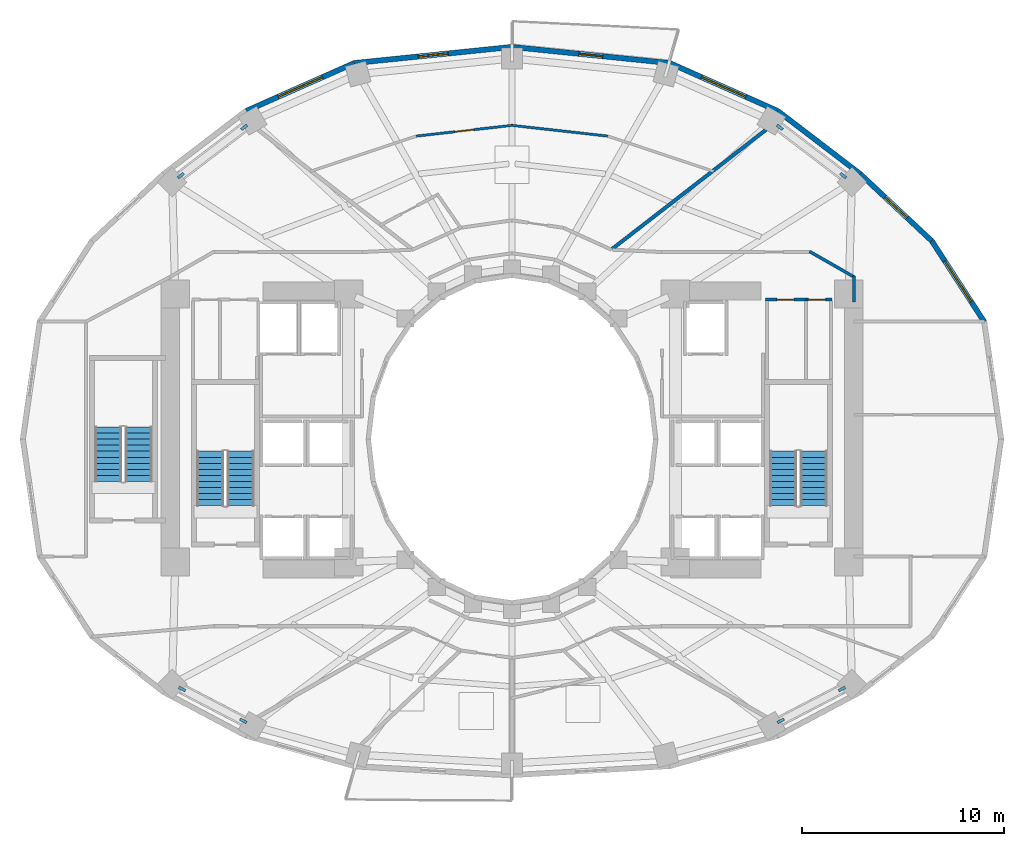
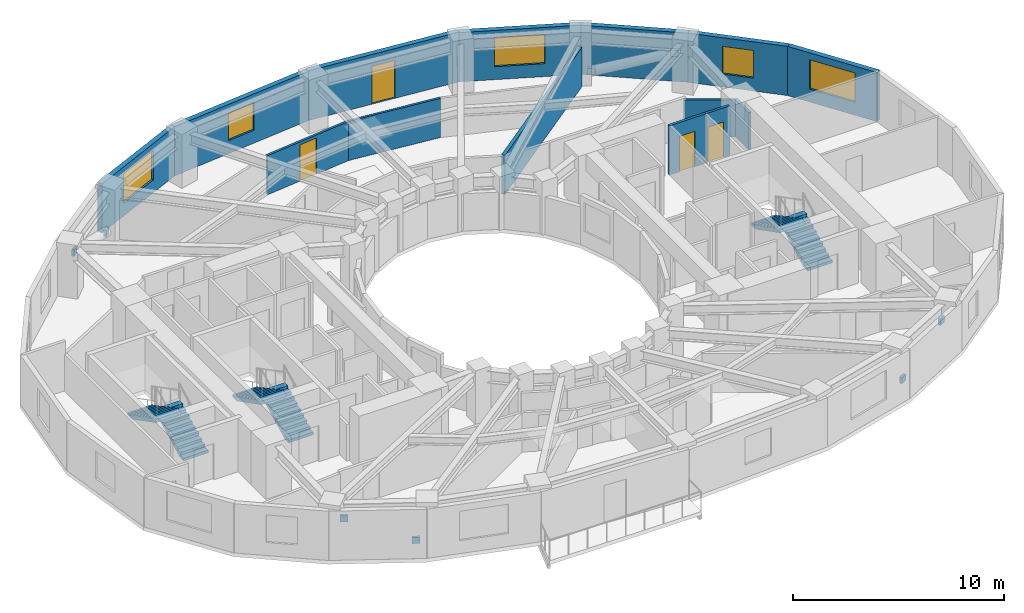
# One storey, part 7 of 9: 14 walls, 8 discrete accessories, 6 stair flights, 5 windows, 4 doors, 9 openings, 3 elements without a shape of their own.
"""IFC4 building model written with IfcOpenShell, lengths in metres."""

from ifc_helpers import new_model, si_unit, direction, frame, frame_2d, origin, origin_2d, place, context, subcontext, project, spatial, polyline, rectangle, outline, extrude, material, layer, layer_set, type_object, element, fill, aggregate, save


model = new_model("IFC4")

# Units and contexts
model_context = context("Model", 3, precision=1e-05, world=origin(), true_north=direction((0.0, 1.0)))
body_context = subcontext(model_context, "Body", "Model", "MODEL_VIEW")
ifc_project = project(units=[si_unit("LENGTHUNIT", "METRE"), si_unit("AREAUNIT", "SQUARE_METRE"), si_unit("VOLUMEUNIT", "CUBIC_METRE"), si_unit("PLANEANGLEUNIT", "RADIAN"), si_unit("MASSUNIT", "GRAM", prefix="KILO")], contexts=[model_context])

# Site, building, storey
site_placement = place(None, origin())
site = spatial("IfcSite", under=ifc_project, at=site_placement, CompositionType="ELEMENT")
building_placement = place(site_placement, origin())
building = spatial("IfcBuilding", under=site, at=building_placement, Name="Solvane Sanctuary Tower", CompositionType="ELEMENT")
storey_placement = place(building_placement, frame((0.0, 0.0, 79.39990234375)))
storey = spatial("IfcBuildingStorey", under=building, at=storey_placement, Name="L23", CompositionType="ELEMENT", Elevation=79.39990234375)

# Walls
ifc_material_1 = material(Name="Acoustic Gypsum Partition Board")
ifc_layer_1 = layer(ifc_material_1, 0.14990234375, Name="Acoustic Gypsum Partition Board")
ifc_layer_set_1 = layer_set([ifc_layer_1], Name="Acoustic Gypsum Partition Board")
wall_type_1 = type_object("IfcWallType", Name="Wall W-CORR-150", PredefinedType="PARTITIONING", material=ifc_layer_set_1)
wall_1_placement = place(storey_placement, frame((48.949951171875, 29.800048828125, 0.0), z_axis=(0.0, 0.0, 1.0), x_axis=(0.0, 1.0, 0.0)))
element("IfcWall", 1, at=wall_1_placement, inside=storey, type_object=wall_type_1, Name="L23 NE Corner Closer 1", PredefinedType="PARTITIONING", context=body_context, shape_type="SweptSolid", body=[
    extrude(rectangle(XDim=1.2900390625, YDim=0.14990234375, at=frame_2d((0.64501953125, 0.0))), origin(), (0.0, 0.0, 1.0), 2.14208984375),
])
wall_2_placement = place(storey_placement, frame((46.756591796875, 32.3046875, 0.0), z_axis=(0.0, 0.0, 1.0), x_axis=(0.867991349648, -0.496579315857, 0.0)))
element("IfcWall", 2, at=wall_2_placement, inside=storey, type_object=wall_type_1, Name="L23 NE Corner Wing Wall", PredefinedType="PARTITIONING", context=body_context, shape_type="SweptSolid", body=[
    extrude(rectangle(XDim=2.56689453125, YDim=0.14990234375, at=frame_2d((1.283447265625, 0.0))), origin(), (0.0, 0.0, 1.0), 2.14208984375),
])

# Wall, opening, window
ifc_material_2 = material(Name="Precast concrete C40/50", Category="concrete")
ifc_layer_2 = layer(ifc_material_2, 0.260009765625, Name="Precast concrete C40/50")
ifc_layer_set_2 = layer_set([ifc_layer_2], Name="Precast concrete C40/50")
wall_type_2 = type_object("IfcWallType", Name="Wall W-EXT-250", PredefinedType="STANDARD", material=ifc_layer_set_2)
wall_3_placement = place(storey_placement, frame((55.421875, 28.818603515625, 0.0), z_axis=(0.0, 0.0, 1.0), x_axis=(-0.544388392991, 0.838833283541, 0.0)))
wall_3 = element("IfcWall", 3, at=wall_3_placement, inside=storey, type_object=wall_type_2, Name="L23 Ceramic-Printed Facade Wall 01", PredefinedType="STANDARD", context=body_context, shape_type="SweptSolid", body=[
    extrude(rectangle(XDim=4.7783203125, YDim=0.260009765625, at=frame_2d((2.38916015625, 0.0))), origin(), (0.0, 0.0, 1.0), 2.85009765625),
])
opening_1_placement = place(wall_3_placement, frame((1.189208984375, 0.0, 0.75)))
opening_1 = element("IfcOpeningElement", 4, at=opening_1_placement, cuts=wall_3, Name="Opening WN-RIB-2400", PredefinedType="OPENING", context=body_context, shape_type="SweptSolid", body=[
    extrude(rectangle(XDim=2.39990234375, YDim=1.699951171875, at=frame_2d((1.199951171875, 0.85009765625))), frame((0.0, 0.139892578125, 0.0), z_axis=(0.0, -1.0, 0.0), x_axis=(1.0, 0.0, 0.0)), (0.0, 0.0, 1.0), 0.280029296875),
])
ifc_material_3 = material(Name="Dark Ceramic-Fritted Low-E Glass", Category="glass")
window_type_1 = type_object("IfcWindowType", Name="Window WN-RIB-2400", PartitioningType="SINGLE_PANEL", PredefinedType="WINDOW", material=ifc_material_3)
window_1_placement = place(opening_1_placement, origin())
window_1 = element("IfcWindow", 5, at=window_1_placement, inside=storey, type_object=window_type_1, Name="L23 Operable Facade Window 01", OverallHeight=1.699951171875, OverallWidth=2.39990234375, PartitioningType="SINGLE_PANEL", PredefinedType="WINDOW", context=body_context, shape_type="SweptSolid", body=[
    extrude(rectangle(XDim=2.39990234375, YDim=1.699951171875, at=frame_2d((1.199951171875, 0.85009765625))), frame((0.0, 0.030029296875, 0.0), z_axis=(0.0, -1.0, 0.0), x_axis=(1.0, 0.0, 0.0)), (0.0, 0.0, 1.0), 0.06005859375),
])
fill(opening_1, window_1)

wall_4_placement = place(storey_placement, frame((52.820556640625, 32.826904296875, 0.0), z_axis=(0.0, 0.0, 1.0), x_axis=(-0.730162452258, 0.68327358599, 0.0)))
wall_4 = element("IfcWall", 6, at=wall_4_placement, inside=storey, type_object=wall_type_2, Name="L23 Ceramic-Printed Facade Wall 02", PredefinedType="STANDARD", context=body_context, shape_type="SweptSolid", body=[
    extrude(rectangle(XDim=4.868408203125, YDim=0.260009765625, at=frame_2d((2.43408203125, 0.0))), origin(), (0.0, 0.0, 1.0), 2.85009765625),
])
opening_2_placement = place(wall_4_placement, frame((1.68408203125, 0.0, 0.75)))
opening_2 = element("IfcOpeningElement", 7, at=opening_2_placement, cuts=wall_4, Name="Opening WN-OPER-1500", PredefinedType="OPENING", context=body_context, shape_type="SweptSolid", body=[
    extrude(rectangle(XDim=1.5, YDim=1.60009765625, at=frame_2d((0.75, 0.800048828125))), frame((0.0, 0.139892578125, 0.0), z_axis=(0.0, -1.0, 0.0), x_axis=(1.0, 0.0, 0.0)), (0.0, 0.0, 1.0), 0.280029296875),
])
window_type_2 = type_object("IfcWindowType", Name="Window WN-OPER-1500", PartitioningType="SINGLE_PANEL", PredefinedType="WINDOW", material=ifc_material_3)
window_2_placement = place(opening_2_placement, origin())
window_2 = element("IfcWindow", 8, at=window_2_placement, inside=storey, type_object=window_type_2, Name="L23 Operable Facade Window 02", OverallHeight=1.60009765625, OverallWidth=1.5, PartitioningType="SINGLE_PANEL", PredefinedType="WINDOW", context=body_context, shape_type="SweptSolid", body=[
    extrude(rectangle(XDim=1.5, YDim=1.60009765625, at=frame_2d((0.75, 0.800048828125))), frame((0.0, 0.030029296875, 0.0), z_axis=(0.0, -1.0, 0.0), x_axis=(1.0, 0.0, 0.0)), (0.0, 0.0, 1.0), 0.06005859375),
])
fill(opening_2, window_2)

# Wall
wall_5_placement = place(storey_placement, frame((49.265869140625, 36.1533203125, 0.0), z_axis=(0.0, 0.0, 1.0), x_axis=(-0.794809810864, 0.606858603427, 0.0)))
element("IfcWall", 9, at=wall_5_placement, inside=storey, type_object=wall_type_2, Name="L23 Ceramic-Printed Facade Wall 03", PredefinedType="STANDARD", context=body_context, shape_type="SweptSolid", body=[
    extrude(rectangle(XDim=5.149169921875, YDim=0.260009765625, at=frame_2d((2.57470703125, 0.0))), origin(), (0.0, 0.0, 1.0), 2.85009765625),
])

# Wall, opening, window
wall_6_placement = place(storey_placement, frame((45.17333984375, 39.278076171875, 0.0), z_axis=(0.0, 0.0, 1.0), x_axis=(-0.914336605747, 0.404955023911, 0.0)))
wall_6 = element("IfcWall", 10, at=wall_6_placement, inside=storey, type_object=wall_type_2, Name="L23 Ceramic-Printed Facade Wall 04", PredefinedType="STANDARD", context=body_context, shape_type="SweptSolid", body=[
    extrude(rectangle(XDim=5.85888671875, YDim=0.260009765625, at=frame_2d((2.929443359375, 0.0))), origin(), (0.0, 0.0, 1.0), 2.85009765625),
])
opening_3_placement = place(wall_6_placement, frame((1.7294921875, 0.0, 0.75)))
opening_3 = element("IfcOpeningElement", 11, at=opening_3_placement, cuts=wall_6, Name="Opening WN-RIB-2400", PredefinedType="OPENING", context=body_context, shape_type="SweptSolid", body=[
    extrude(rectangle(XDim=2.39990234375, YDim=1.699951171875, at=frame_2d((1.199951171875, 0.85009765625))), frame((0.0, 0.139892578125, 0.0), z_axis=(0.0, -1.0, 0.0), x_axis=(1.0, 0.0, 0.0)), (0.0, 0.0, 1.0), 0.280029296875),
])
window_3_placement = place(opening_3_placement, origin())
window_3 = element("IfcWindow", 12, at=window_3_placement, inside=storey, type_object=window_type_1, Name="L23 Operable Facade Window 04", OverallHeight=1.699951171875, OverallWidth=2.39990234375, PartitioningType="SINGLE_PANEL", PredefinedType="WINDOW", context=body_context, shape_type="SweptSolid", body=[
    extrude(rectangle(XDim=2.39990234375, YDim=1.699951171875, at=frame_2d((1.199951171875, 0.85009765625))), frame((0.0, 0.030029296875, 0.0), z_axis=(0.0, -1.0, 0.0), x_axis=(1.0, 0.0, 0.0)), (0.0, 0.0, 1.0), 0.06005859375),
])
fill(opening_3, window_3)

# Wall, opening, door
wall_7_placement = place(storey_placement, frame((39.81640625, 41.650634765625, 0.0), z_axis=(0.0, 0.0, 1.0), x_axis=(-0.994821390558, 0.101638579726, 0.0)))
wall_7 = element("IfcWall", 13, at=wall_7_placement, inside=storey, type_object=wall_type_2, Name="L23 Balcony Facade Wall NC", PredefinedType="STANDARD", context=body_context, shape_type="SweptSolid", body=[
    extrude(rectangle(XDim=7.857177734375, YDim=0.260009765625, at=frame_2d((3.9287109375, 0.0))), origin(), (0.0, 0.0, 1.0), 2.880126953125),
])
opening_4_placement = place(wall_7_placement, frame((3.32861328125, 0.0, 0.0)))
opening_4 = element("IfcOpeningElement", 14, at=opening_4_placement, cuts=wall_7, Name="Opening D-L23-01", PredefinedType="OPENING", context=body_context, shape_type="SweptSolid", body=[
    extrude(rectangle(XDim=1.199951171875, YDim=2.199951171875, at=frame_2d((0.60009765625, 1.10009765625))), frame((0.0, 0.139892578125, 0.0), z_axis=(0.0, -1.0, 0.0), x_axis=(1.0, 0.0, 0.0)), (0.0, 0.0, 1.0), 0.280029296875),
])
ifc_material_4 = material(Name="Anodised Aluminium 6063-T6", Category="aluminium")
door_type_1 = type_object("IfcDoorType", Name="Door D-BALC-1200", OperationType="NOTDEFINED", PredefinedType="DOOR", material=ifc_material_4)
door_1_placement = place(opening_4_placement, origin())
door_1 = element("IfcDoor", 15, at=door_1_placement, inside=storey, type_object=door_type_1, Name="L23 Glazed Balcony Door NC", OperationType="SINGLE_SWING_RIGHT", OverallHeight=2.199951171875, OverallWidth=1.199951171875, PredefinedType="DOOR", context=body_context, shape_type="SweptSolid", body=[
    extrude(rectangle(XDim=1.199951171875, YDim=2.199951171875, at=frame_2d((0.60009765625, 1.10009765625))), frame((0.0, 0.02490234375, 0.0), z_axis=(0.0, -1.0, 0.0), x_axis=(1.0, 0.0, 0.0)), (0.0, 0.0, 1.0), 0.050048828125),
])
fill(opening_4, door_1)

# Wall, opening, window
wall_8_placement = place(storey_placement, frame((32.0, 42.44921875, 0.0), z_axis=(0.0, 0.0, 1.0), x_axis=(-0.994821390558, -0.101638579726, 0.0)))
wall_8 = element("IfcWall", 16, at=wall_8_placement, inside=storey, type_object=wall_type_2, Name="L23 Ceramic-Printed Facade Wall 06", PredefinedType="STANDARD", context=body_context, shape_type="SweptSolid", body=[
    extrude(rectangle(XDim=7.857177734375, YDim=0.260009765625, at=frame_2d((3.9287109375, 0.0))), origin(), (0.0, 0.0, 1.0), 2.85009765625),
])
opening_5_placement = place(wall_8_placement, frame((3.178466796875, 0.0, 0.75)))
opening_5 = element("IfcOpeningElement", 17, at=opening_5_placement, cuts=wall_8, Name="Opening WN-OPER-1500", PredefinedType="OPENING", context=body_context, shape_type="SweptSolid", body=[
    extrude(rectangle(XDim=1.5, YDim=1.60009765625, at=frame_2d((0.75, 0.800048828125))), frame((0.0, 0.139892578125, 0.0), z_axis=(0.0, -1.0, 0.0), x_axis=(1.0, 0.0, 0.0)), (0.0, 0.0, 1.0), 0.280029296875),
])
window_4_placement = place(opening_5_placement, origin())
window_4 = element("IfcWindow", 18, at=window_4_placement, inside=storey, type_object=window_type_2, Name="L23 Operable Facade Window 06", OverallHeight=1.60009765625, OverallWidth=1.5, PartitioningType="SINGLE_PANEL", PredefinedType="WINDOW", context=body_context, shape_type="SweptSolid", body=[
    extrude(rectangle(XDim=1.5, YDim=1.60009765625, at=frame_2d((0.75, 0.800048828125))), frame((0.0, 0.030029296875, 0.0), z_axis=(0.0, -1.0, 0.0), x_axis=(1.0, 0.0, 0.0)), (0.0, 0.0, 1.0), 0.06005859375),
])
fill(opening_5, window_4)

wall_9_placement = place(storey_placement, frame((24.18359375, 41.650634765625, 0.0), z_axis=(0.0, 0.0, 1.0), x_axis=(-0.914336605747, -0.404955023911, 0.0)))
wall_9 = element("IfcWall", 19, at=wall_9_placement, inside=storey, type_object=wall_type_2, Name="L23 Ceramic-Printed Facade Wall 07", PredefinedType="STANDARD", context=body_context, shape_type="SweptSolid", body=[
    extrude(rectangle(XDim=5.85888671875, YDim=0.260009765625, at=frame_2d((2.929443359375, 0.0))), origin(), (0.0, 0.0, 1.0), 2.85009765625),
])
opening_6_placement = place(wall_9_placement, frame((1.7294921875, 0.0, 0.75)))
opening_6 = element("IfcOpeningElement", 20, at=opening_6_placement, cuts=wall_9, Name="Opening WN-RIB-2400", PredefinedType="OPENING", context=body_context, shape_type="SweptSolid", body=[
    extrude(rectangle(XDim=2.39990234375, YDim=1.699951171875, at=frame_2d((1.199951171875, 0.85009765625))), frame((0.0, 0.139892578125, 0.0), z_axis=(0.0, -1.0, 0.0), x_axis=(1.0, 0.0, 0.0)), (0.0, 0.0, 1.0), 0.280029296875),
])
window_5_placement = place(opening_6_placement, origin())
window_5 = element("IfcWindow", 21, at=window_5_placement, inside=storey, type_object=window_type_1, Name="L23 Operable Facade Window 07", OverallHeight=1.699951171875, OverallWidth=2.39990234375, PartitioningType="SINGLE_PANEL", PredefinedType="WINDOW", context=body_context, shape_type="SweptSolid", body=[
    extrude(rectangle(XDim=2.39990234375, YDim=1.699951171875, at=frame_2d((1.199951171875, 0.85009765625))), frame((0.0, 0.030029296875, 0.0), z_axis=(0.0, -1.0, 0.0), x_axis=(1.0, 0.0, 0.0)), (0.0, 0.0, 1.0), 0.06005859375),
])
fill(opening_6, window_5)

# Wall
ifc_layer_3 = layer(ifc_material_1, 0.1201171875, Name="Acoustic Gypsum Partition Board")
ifc_layer_set_3 = layer_set([ifc_layer_3], Name="Acoustic Gypsum Partition Board")
wall_type_3 = type_object("IfcWallType", Name="Wall W-MOV-100", PredefinedType="MOVABLE", material=ifc_layer_set_3)
wall_10_placement = place(storey_placement, frame((36.7470703125, 38.02783203125, 0.0), z_axis=(0.0, 0.0, 1.0), x_axis=(-0.9937938415, 0.111237586262, 0.0)))
element("IfcWall", 22, at=wall_10_placement, inside=storey, type_object=wall_type_3, Name="L23 Suite Sitting Lounge Partition N1", PredefinedType="MOVABLE", context=body_context, shape_type="SweptSolid", body=[
    extrude(rectangle(XDim=4.786865234375, YDim=0.1201171875, at=frame_2d((2.3935546875, 0.0))), origin(), (0.0, 0.0, 1.0), 2.272216796875),
])

# Wall, opening, door
wall_11_placement = place(storey_placement, frame((32.010009765625, 38.560302734375, 0.0), z_axis=(0.0, 0.0, 1.0), x_axis=(-0.9937938415, -0.111237586262, 0.0)))
wall_11 = element("IfcWall", 23, at=wall_11_placement, inside=storey, type_object=wall_type_3, Name="L23 Suite Sitting Lounge Partition N1", PredefinedType="MOVABLE", context=body_context, shape_type="SweptSolid", body=[
    extrude(rectangle(XDim=4.786865234375, YDim=0.1201171875, at=frame_2d((2.3935546875, 0.0))), origin(), (0.0, 0.0, 1.0), 2.272216796875),
])
opening_7_placement = place(wall_11_placement, frame((1.91845703125, 0.0, 0.0)))
opening_7 = element("IfcOpeningElement", 24, at=opening_7_placement, cuts=wall_11, Name="Opening D-L23-20", PredefinedType="OPENING", context=body_context, shape_type="SweptSolid", body=[
    extrude(rectangle(XDim=0.949951171875, YDim=2.10009765625, at=frame_2d((0.47509765625, 1.050048828125))), frame((0.0, 0.070068359375, 0.0), z_axis=(0.0, -1.0, 0.0), x_axis=(1.0, 0.0, 0.0)), (0.0, 0.0, 1.0), 0.14013671875),
])
ifc_material_5 = material(Name="Engineered Tropical Hardwood", Category="wood")
door_type_2 = type_object("IfcDoorType", Name="Door D-ROOM-950", OperationType="NOTDEFINED", PredefinedType="DOOR", material=ifc_material_5)
door_2_placement = place(opening_7_placement, origin())
door_2 = element("IfcDoor", 25, at=door_2_placement, inside=storey, type_object=door_type_2, Name="L23 Suite Sitting Lounge Door N1", OperationType="SINGLE_SWING_RIGHT", OverallHeight=2.10009765625, OverallWidth=0.949951171875, PredefinedType="DOOR", context=body_context, shape_type="SweptSolid", body=[
    extrude(rectangle(XDim=0.949951171875, YDim=2.10009765625, at=frame_2d((0.47509765625, 1.050048828125))), frame((0.0, 0.02490234375, 0.0), z_axis=(0.0, -1.0, 0.0), x_axis=(1.0, 0.0, 0.0)), (0.0, 0.0, 1.0), 0.050048828125),
])
fill(opening_7, door_2)

# Wall
ifc_layer_4 = layer(ifc_material_1, 0.179931640625, Name="Acoustic Gypsum Partition Board")
ifc_layer_set_4 = layer_set([ifc_layer_4], Name="Acoustic Gypsum Partition Board")
wall_type_4 = type_object("IfcWallType", Name="Wall W-UNIT-180", PredefinedType="PARTITIONING", material=ifc_layer_set_4)
wall_12_placement = place(storey_placement, frame((36.968505859375, 32.43017578125, 0.0), z_axis=(0.0, 0.0, 1.0), x_axis=(0.790421780952, 0.612562983045, 0.0)))
element("IfcWall", 26, at=wall_12_placement, inside=storey, type_object=wall_type_4, Name="L23 Radial Compartment Wall 060", PredefinedType="PARTITIONING", context=body_context, shape_type="SweptSolid", body=[
    extrude(rectangle(XDim=9.662109375, YDim=0.179931640625, at=frame_2d((4.8310546875, 0.0))), origin(), (0.0, 0.0, 1.0), 2.272216796875),
])

# Wall, opening, door
ifc_layer_5 = layer(ifc_material_1, 0.139892578125, Name="Acoustic Gypsum Partition Board")
ifc_layer_set_5 = layer_set([ifc_layer_5], Name="Acoustic Gypsum Partition Board")
wall_type_5 = type_object("IfcWallType", Name="Wall W-WET-140", PredefinedType="PLUMBINGWALL", material=ifc_layer_set_5)
wall_13_placement = place(storey_placement, frame((44.580078125, 29.919921875, 0.0), z_axis=(0.0, 0.0, 1.0), x_axis=(1.0, 0.0, 0.0)))
wall_13 = element("IfcWall", 27, at=wall_13_placement, inside=storey, type_object=wall_type_5, Name="L23 Core Service Front Wall KE1", PredefinedType="PLUMBINGWALL", context=body_context, shape_type="SweptSolid", body=[
    extrude(rectangle(XDim=2.0, YDim=0.139892578125, at=frame_2d((1.0, 0.0))), origin(), (0.0, 0.0, 1.0), 2.85498046875),
])
opening_8_placement = place(wall_13_placement, frame((0.550048828125, 0.0, 0.0)))
opening_8 = element("IfcOpeningElement", 28, at=opening_8_placement, cuts=wall_13, Name="Opening D-L23-10", PredefinedType="OPENING", context=body_context, shape_type="SweptSolid", body=[
    extrude(rectangle(XDim=0.85009765625, YDim=2.050048828125, at=frame_2d((0.425048828125, 1.02490234375))), frame((0.0, 0.079833984375, 0.0), z_axis=(0.0, -1.0, 0.0), x_axis=(1.0, 0.0, 0.0)), (0.0, 0.0, 1.0), 0.159912109375),
])
ifc_material_6 = material(Name="Architectural Stainless Steel 316", Category="steel")
door_type_3 = type_object("IfcDoorType", Name="Door D-RISER", OperationType="NOTDEFINED", PredefinedType="DOOR", material=ifc_material_6)
door_3_placement = place(opening_8_placement, origin())
door_3 = element("IfcDoor", 29, at=door_3_placement, inside=storey, type_object=door_type_3, Name="L23 Core Service Room Door KE1-1", OperationType="SINGLE_SWING_RIGHT", OverallHeight=2.050048828125, OverallWidth=0.85009765625, PredefinedType="DOOR", context=body_context, shape_type="SweptSolid", body=[
    extrude(rectangle(XDim=0.85009765625, YDim=2.050048828125, at=frame_2d((0.425048828125, 1.02490234375))), frame((0.0, 0.02490234375, 0.0), z_axis=(0.0, -1.0, 0.0), x_axis=(1.0, 0.0, 0.0)), (0.0, 0.0, 1.0), 0.050048828125),
])
fill(opening_8, door_3)

wall_14_placement = place(storey_placement, frame((46.580078125, 29.919921875, 0.0), z_axis=(0.0, 0.0, 1.0), x_axis=(1.0, 0.0, 0.0)))
wall_14 = element("IfcWall", 30, at=wall_14_placement, inside=storey, type_object=wall_type_5, Name="L23 Core Service Front Wall KE2", PredefinedType="PLUMBINGWALL", context=body_context, shape_type="SweptSolid", body=[
    extrude(rectangle(XDim=1.2998046875, YDim=0.139892578125, at=frame_2d((0.64990234375, 0.0))), origin(), (0.0, 0.0, 1.0), 2.85498046875),
])
opening_9_placement = place(wall_14_placement, frame((0.1201171875, 0.0, 0.0)))
opening_9 = element("IfcOpeningElement", 31, at=opening_9_placement, cuts=wall_14, Name="Opening D-L23-11", PredefinedType="OPENING", context=body_context, shape_type="SweptSolid", body=[
    extrude(rectangle(XDim=0.85009765625, YDim=2.050048828125, at=frame_2d((0.425048828125, 1.02490234375))), frame((0.0, 0.079833984375, 0.0), z_axis=(0.0, -1.0, 0.0), x_axis=(1.0, 0.0, 0.0)), (0.0, 0.0, 1.0), 0.159912109375),
])
door_4_placement = place(opening_9_placement, origin())
door_4 = element("IfcDoor", 32, at=door_4_placement, inside=storey, type_object=door_type_3, Name="L23 Core Service Room Door KE2-1", OperationType="SINGLE_SWING_LEFT", OverallHeight=2.050048828125, OverallWidth=0.85009765625, PredefinedType="DOOR", context=body_context, shape_type="SweptSolid", body=[
    extrude(rectangle(XDim=0.85009765625, YDim=2.050048828125, at=frame_2d((0.425048828125, 1.02490234375))), frame((0.0, 0.02490234375, 0.0), z_axis=(0.0, -1.0, 0.0), x_axis=(1.0, 0.0, 0.0)), (0.0, 0.0, 1.0), 0.050048828125),
])
fill(opening_9, door_4)

# Stair, stair flights
ifc_material_7 = material(Name="Concrete C45/55", Category="concrete")
stair_type = type_object("IfcStairType", Name="Stair ST-TOW", PredefinedType="HALF_TURN_STAIR", material=ifc_material_7)
stair_1_placement = place(storey_placement, origin())
stair_1 = element("IfcStair", 33, at=stair_1_placement, inside=storey, type_object=stair_type, Name="L23 Exit Stair ST-1 West Core", PredefinedType="HALF_TURN_STAIR")
stair_flight_type = type_object("IfcStairFlightType", Name="StairFlight SF-TOW", PredefinedType="STRAIGHT", material=ifc_material_7)
stair_flight_1_placement = place(storey_placement, frame((18.544921875, 19.699951171875, 0.0), z_axis=(0.0, 0.0, 1.0), x_axis=(0.0, 1.0, 0.0)))
stair_flight_1 = element("IfcStairFlight", 34, at=stair_flight_1_placement, type_object=stair_flight_type, Name="ST-1 flight 1", NumberOfRisers=10, NumberOfTreads=9, PredefinedType="STRAIGHT", RiserHeight=0.155, TreadLength=0.3, context=body_context, shape_type="SweptSolid", body=[
    extrude(outline(polyline([(0.0, 0.0), (0.0, 0.155029296875), (0.300048828125, 0.155029296875), (0.300048828125, 0.31005859375), (0.60009765625, 0.31005859375), (0.60009765625, 0.465087890625), (0.89990234375, 0.465087890625), (0.89990234375, 0.6201171875), (1.199951171875, 0.6201171875), (1.199951171875, 0.77490234375), (1.5, 0.77490234375), (1.5, 0.929931640625), (1.800048828125, 0.929931640625), (1.800048828125, 1.0849609375), (2.10009765625, 1.0849609375), (2.10009765625, 1.239990234375), (2.39990234375, 1.239990234375), (2.39990234375, 1.39501953125), (2.699951171875, 1.39501953125), (2.699951171875, 1.550048828125), (2.699951171875, 1.1923828125), (0.39208984375, 0.0), (0.0, 0.0)])), frame((0.0, 0.675048828125, 0.0), z_axis=(0.0, -1.0, 0.0), x_axis=(1.0, 0.0, 0.0)), (0.0, 0.0, 1.0), 1.35009765625),
])
stair_flight_2_placement = place(storey_placement, frame((17.034912109375, 22.39990234375, 1.550048828125), z_axis=(0.0, 0.0, 1.0), x_axis=(0.0, -1.0, 0.0)))
stair_flight_2 = element("IfcStairFlight", 35, at=stair_flight_2_placement, type_object=stair_flight_type, Name="ST-1 flight 2", NumberOfRisers=10, NumberOfTreads=9, PredefinedType="STRAIGHT", RiserHeight=0.155, TreadLength=0.3, context=body_context, shape_type="SweptSolid", body=[
    extrude(outline(polyline([(0.0, 0.0), (0.0, 0.155029296875), (0.300048828125, 0.155029296875), (0.300048828125, 0.31005859375), (0.60009765625, 0.31005859375), (0.60009765625, 0.465087890625), (0.89990234375, 0.465087890625), (0.89990234375, 0.6201171875), (1.199951171875, 0.6201171875), (1.199951171875, 0.77490234375), (1.5, 0.77490234375), (1.5, 0.929931640625), (1.800048828125, 0.929931640625), (1.800048828125, 1.0849609375), (2.10009765625, 1.0849609375), (2.10009765625, 1.239990234375), (2.39990234375, 1.239990234375), (2.39990234375, 1.39501953125), (2.699951171875, 1.39501953125), (2.699951171875, 1.550048828125), (2.699951171875, 1.1923828125), (0.39208984375, 0.0), (0.0, 0.0)])), frame((0.0, 0.675048828125, 0.0), z_axis=(0.0, -1.0, 0.0), x_axis=(1.0, 0.0, 0.0)), (0.0, 0.0, 1.0), 1.35009765625),
])
aggregate(stair_1, [stair_flight_1, stair_flight_2])

stair_2_placement = place(storey_placement, origin())
stair_2 = element("IfcStair", 36, at=stair_2_placement, inside=storey, type_object=stair_type, Name="L23 Exit Stair ST-2 East Core", PredefinedType="HALF_TURN_STAIR")
stair_flight_3_placement = place(storey_placement, frame((46.965087890625, 19.699951171875, 0.0), z_axis=(0.0, 0.0, 1.0), x_axis=(0.0, 1.0, 0.0)))
stair_flight_3 = element("IfcStairFlight", 37, at=stair_flight_3_placement, type_object=stair_flight_type, Name="ST-2 flight 1", NumberOfRisers=10, NumberOfTreads=9, PredefinedType="STRAIGHT", RiserHeight=0.155, TreadLength=0.3, context=body_context, shape_type="SweptSolid", body=[
    extrude(outline(polyline([(0.0, 0.0), (0.0, 0.155029296875), (0.300048828125, 0.155029296875), (0.300048828125, 0.31005859375), (0.60009765625, 0.31005859375), (0.60009765625, 0.465087890625), (0.89990234375, 0.465087890625), (0.89990234375, 0.6201171875), (1.199951171875, 0.6201171875), (1.199951171875, 0.77490234375), (1.5, 0.77490234375), (1.5, 0.929931640625), (1.800048828125, 0.929931640625), (1.800048828125, 1.0849609375), (2.10009765625, 1.0849609375), (2.10009765625, 1.239990234375), (2.39990234375, 1.239990234375), (2.39990234375, 1.39501953125), (2.699951171875, 1.39501953125), (2.699951171875, 1.550048828125), (2.699951171875, 1.1923828125), (0.39208984375, 0.0), (0.0, 0.0)])), frame((0.0, 0.675048828125, 0.0), z_axis=(0.0, -1.0, 0.0), x_axis=(1.0, 0.0, 0.0)), (0.0, 0.0, 1.0), 1.35009765625),
])
stair_flight_4_placement = place(storey_placement, frame((45.455078125, 22.39990234375, 1.550048828125), z_axis=(0.0, 0.0, 1.0), x_axis=(0.0, -1.0, 0.0)))
stair_flight_4 = element("IfcStairFlight", 38, at=stair_flight_4_placement, type_object=stair_flight_type, Name="ST-2 flight 2", NumberOfRisers=10, NumberOfTreads=9, PredefinedType="STRAIGHT", RiserHeight=0.155, TreadLength=0.3, context=body_context, shape_type="SweptSolid", body=[
    extrude(outline(polyline([(0.0, 0.0), (0.0, 0.155029296875), (0.300048828125, 0.155029296875), (0.300048828125, 0.31005859375), (0.60009765625, 0.31005859375), (0.60009765625, 0.465087890625), (0.89990234375, 0.465087890625), (0.89990234375, 0.6201171875), (1.199951171875, 0.6201171875), (1.199951171875, 0.77490234375), (1.5, 0.77490234375), (1.5, 0.929931640625), (1.800048828125, 0.929931640625), (1.800048828125, 1.0849609375), (2.10009765625, 1.0849609375), (2.10009765625, 1.239990234375), (2.39990234375, 1.239990234375), (2.39990234375, 1.39501953125), (2.699951171875, 1.39501953125), (2.699951171875, 1.550048828125), (2.699951171875, 1.1923828125), (0.39208984375, 0.0), (0.0, 0.0)])), frame((0.0, 0.675048828125, 0.0), z_axis=(0.0, -1.0, 0.0), x_axis=(1.0, 0.0, 0.0)), (0.0, 0.0, 1.0), 1.35009765625),
])
aggregate(stair_2, [stair_flight_3, stair_flight_4])

stair_3_placement = place(storey_placement, origin())
stair_3 = element("IfcStair", 39, at=stair_3_placement, inside=storey, type_object=stair_type, Name="L23 Exit Stair ST-3 Pilgrim Tower Stair", PredefinedType="HALF_TURN_STAIR")
stair_flight_5_placement = place(storey_placement, frame((13.485107421875, 20.89990234375, 0.0), z_axis=(0.0, 0.0, 1.0), x_axis=(0.0, 1.0, 0.0)))
stair_flight_5 = element("IfcStairFlight", 40, at=stair_flight_5_placement, type_object=stair_flight_type, Name="ST-3 flight 1", NumberOfRisers=10, NumberOfTreads=9, PredefinedType="STRAIGHT", RiserHeight=0.155, TreadLength=0.3, context=body_context, shape_type="SweptSolid", body=[
    extrude(outline(polyline([(0.0, 0.0), (0.0, 0.155029296875), (0.300048828125, 0.155029296875), (0.300048828125, 0.31005859375), (0.60009765625, 0.31005859375), (0.60009765625, 0.465087890625), (0.89990234375, 0.465087890625), (0.89990234375, 0.6201171875), (1.199951171875, 0.6201171875), (1.199951171875, 0.77490234375), (1.5, 0.77490234375), (1.5, 0.929931640625), (1.800048828125, 0.929931640625), (1.800048828125, 1.0849609375), (2.10009765625, 1.0849609375), (2.10009765625, 1.239990234375), (2.39990234375, 1.239990234375), (2.39990234375, 1.39501953125), (2.699951171875, 1.39501953125), (2.699951171875, 1.550048828125), (2.699951171875, 1.1923828125), (0.39208984375, 0.0), (0.0, 0.0)])), frame((0.0, 0.675048828125, 0.0), z_axis=(0.0, -1.0, 0.0), x_axis=(1.0, 0.0, 0.0)), (0.0, 0.0, 1.0), 1.35009765625),
])
stair_flight_6_placement = place(storey_placement, frame((11.97509765625, 23.60009765625, 1.550048828125), z_axis=(0.0, 0.0, 1.0), x_axis=(0.0, -1.0, 0.0)))
stair_flight_6 = element("IfcStairFlight", 41, at=stair_flight_6_placement, type_object=stair_flight_type, Name="ST-3 flight 2", NumberOfRisers=10, NumberOfTreads=9, PredefinedType="STRAIGHT", RiserHeight=0.155, TreadLength=0.3, context=body_context, shape_type="SweptSolid", body=[
    extrude(outline(polyline([(0.0, 0.0), (0.0, 0.155029296875), (0.300048828125, 0.155029296875), (0.300048828125, 0.31005859375), (0.60009765625, 0.31005859375), (0.60009765625, 0.465087890625), (0.89990234375, 0.465087890625), (0.89990234375, 0.6201171875), (1.199951171875, 0.6201171875), (1.199951171875, 0.77490234375), (1.5, 0.77490234375), (1.5, 0.929931640625), (1.800048828125, 0.929931640625), (1.800048828125, 1.0849609375), (2.10009765625, 1.0849609375), (2.10009765625, 1.239990234375), (2.39990234375, 1.239990234375), (2.39990234375, 1.39501953125), (2.699951171875, 1.39501953125), (2.699951171875, 1.550048828125), (2.699951171875, 1.1923828125), (0.39208984375, 0.0), (0.0, 0.0)])), frame((0.0, 0.675048828125, 0.0), z_axis=(0.0, -1.0, 0.0), x_axis=(1.0, 0.0, 0.0)), (0.0, 0.0, 1.0), 1.35009765625),
])
aggregate(stair_3, [stair_flight_5, stair_flight_6])

# Discrete accessories
ifc_material_8 = material(Name="Steel ASTM A572 Grade 50", Category="steel")
ifc_layer_6 = layer(ifc_material_8, 0.360107421875, Name="Steel ASTM A572 Grade 50")
ifc_layer_set_6 = layer_set([ifc_layer_6], Name="Steel ASTM A572 Grade 50")
discrete_accessory_type = type_object("IfcDiscreteAccessoryType", Name="Accessory ACC-GUSSET-BRK", PredefinedType="BRACKET", material=ifc_layer_set_6)
for number, where, z_axis, x_axis, name in (
    (42, (45.283203125, 38.462646484375, 0.390625), (0.0, 0.0, 1.0), (0.795473480855, -0.605988400266, 0.0), "L23 Perimeter Braced-Tube Diagonal NE End Gusset Bracket A"),
    (43, (48.427734375, 36.066650390625, 1.80126953125), (0.0, 0.0, 1.0), (0.795473480855, -0.605988400266, 0.0), "L23 Perimeter Braced-Tube Diagonal NE End Gusset Bracket B"),
    (44, (18.716796875, 38.462646484375, 0.390625), (0.0, 0.0, 1.0), (-0.795473480855, -0.605988400266, 0.0), "L23 Perimeter Braced-Tube Diagonal NW End Gusset Bracket A"),
    (45, (15.572265625, 36.066650390625, 1.80126953125), (0.0, 0.0, 1.0), (-0.795473480855, -0.605988400266, 0.0), "L23 Perimeter Braced-Tube Diagonal NW End Gusset Bracket B"),
    (46, (18.67138671875, 9.02734375, 0.4111328125), (0.0, 0.0, 1.0), (-0.887010833178, 0.461748613235, 0.0), "L23 Perimeter Braced-Tube Diagonal SW End Gusset Bracket A"),
    (47, (15.639404296875, 10.60546875, 1.77099609375), (0.0, 0.0, 1.0), (-0.887010833178, 0.461748613235, 0.0), "L23 Perimeter Braced-Tube Diagonal SW End Gusset Bracket B"),
    (48, (45.32861328125, 9.02734375, 0.4111328125), (0.0, 0.0, 1.0), (0.887010833178, 0.461748613235, 0.0), "L23 Perimeter Braced-Tube Diagonal SE End Gusset Bracket A"),
    (49, (48.360595703125, 10.60546875, 1.77099609375), (0.0, 0.0, 1.0), (0.887010833178, 0.461748613235, 0.0), "L23 Perimeter Braced-Tube Diagonal SE End Gusset Bracket B"),
):
    element("IfcDiscreteAccessory", number, at=place(storey_placement, frame(where, z_axis=z_axis, x_axis=x_axis)), inside=storey, type_object=discrete_accessory_type, Name=name, PredefinedType="BRACKET", context=body_context, shape_type="SweptSolid", body=[
        extrude(rectangle(XDim=0.360107421875, YDim=0.139892578125, at=origin_2d()), origin(), (0.0, 0.0, 1.0), 0.360107421875),
    ])

save(model, "model.ifc")
